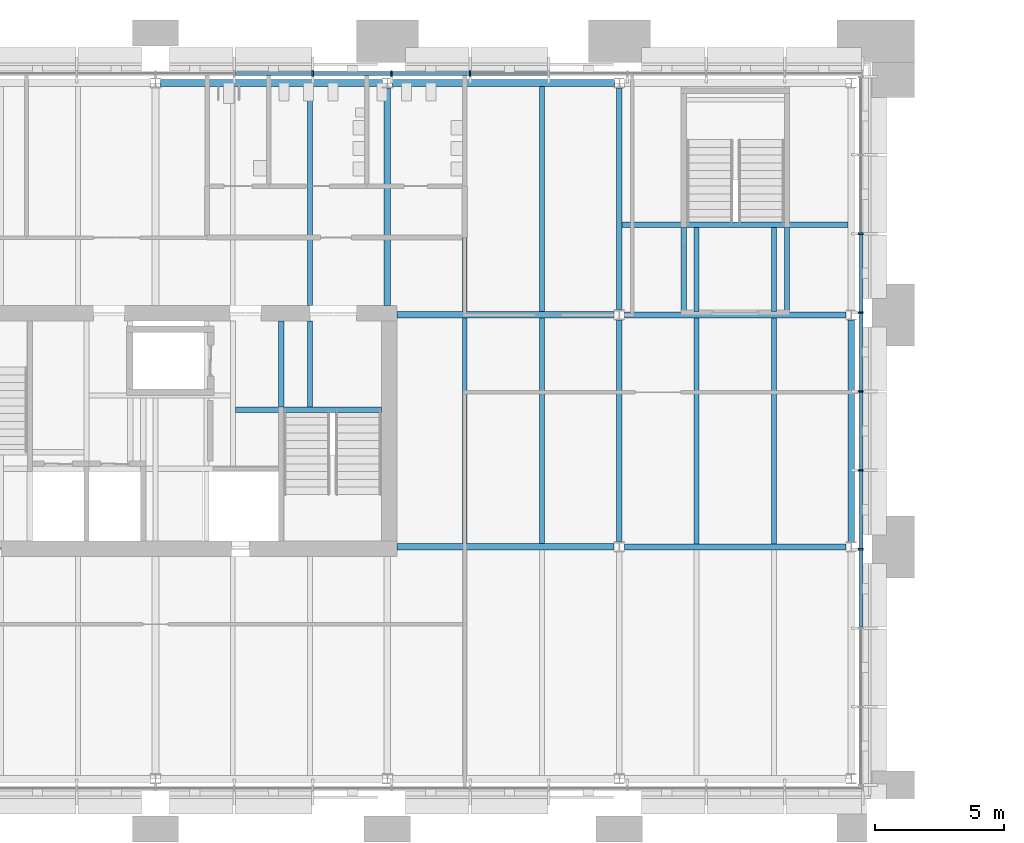
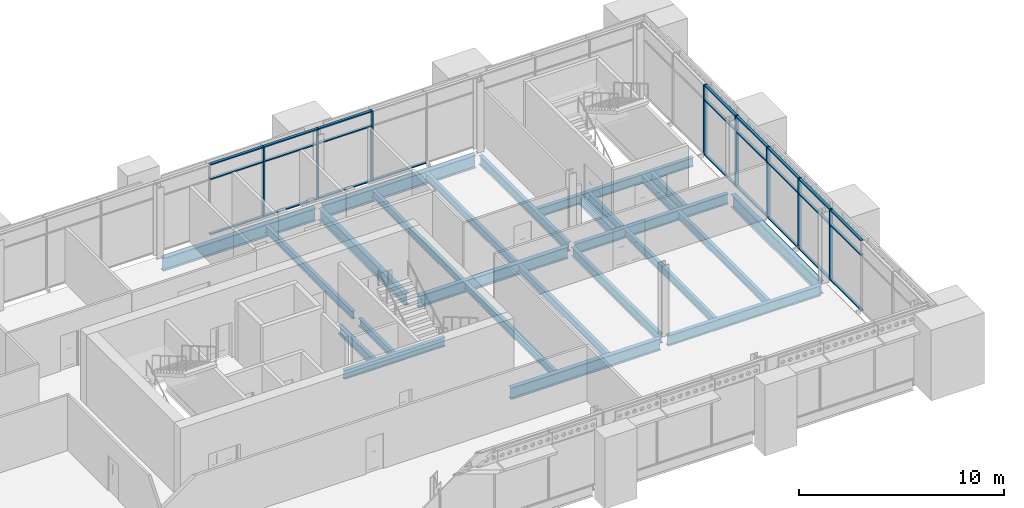
# One storey, part 13 of 54: 33 members, 25 beams, 2 elements without a shape of their own.
"""IFC4 building model written with IfcOpenShell, lengths in metres."""

from ifc_helpers import new_model, si_unit, direction, frame, origin, origin_2d, place, context, subcontext, project, spatial, rectangle, i_section, extrude, material, material_profile, profile_set, type_object, element, aggregate, save


model = new_model("IFC4")

# Units and contexts
model_context = context("Model", 3, precision=1e-05, world=origin(), true_north=direction((0.0, 1.0)))
body_context = subcontext(model_context, "Body", "Model", "MODEL_VIEW")
ifc_project = project(units=[si_unit("LENGTHUNIT", "METRE"), si_unit("AREAUNIT", "SQUARE_METRE"), si_unit("VOLUMEUNIT", "CUBIC_METRE"), si_unit("PLANEANGLEUNIT", "RADIAN"), si_unit("MASSUNIT", "GRAM", prefix="KILO")], contexts=[model_context])

# Site, building, storey
site_placement = place(None, origin())
site = spatial("IfcSite", under=ifc_project, at=site_placement, CompositionType="ELEMENT")
building_placement = place(site_placement, origin())
building = spatial("IfcBuilding", under=site, at=building_placement, Name="Baradari Gate Terminus", CompositionType="ELEMENT")
storey_placement = place(building_placement, frame((0.0, 0.0, 15.89990234375)))
storey = spatial("IfcBuildingStorey", under=building, at=storey_placement, Name="L03", CompositionType="ELEMENT", Elevation=15.89990234375)

# Beams
ifc_material_1 = material(Name="Steel S355", Category="steel")
ifc_material_profile_1 = material_profile(ifc_material_1, i_section(OverallWidth=0.19140625, OverallDepth=0.4599609375, WebThickness=0.010009765625, FlangeThickness=0.01611328125, FilletRadius=0.01025390625, at=origin_2d()), Name="UB 457x191x82")
ifc_profile_set_1 = profile_set([ifc_material_profile_1], Name="Steel S355")
beam_type_1 = type_object("IfcBeamType", Name="Core floor beam B23 UB 457x191x82", PredefinedType="BEAM", material=ifc_profile_set_1)
beam_1_placement = place(storey_placement, frame((42.0, 131.4296875, -0.35986328125), z_axis=(0.0, 1.0, 0.0), x_axis=(-1.0, 0.0, 0.0)))
element("IfcBeam", 1, at=beam_1_placement, inside=storey, type_object=beam_type_1, Name="Core floor beam B23 42:131.43-134.775 L03", PredefinedType="BEAM", context=body_context, shape_type="SweptSolid", body=[
    extrude(i_section(OverallWidth=0.19140625, OverallDepth=0.4599609375, WebThickness=0.010009765625, FlangeThickness=0.01611328125, FilletRadius=0.01025390625, at=origin_2d()), origin(), (0.0, 0.0, 1.0), 3.34521484375),
])
ifc_material_2 = material(Name="Steel S355", Category="steel")
ifc_material_profile_2 = material_profile(ifc_material_2, i_section(OverallWidth=0.209228515625, OverallDepth=0.533203125, WebThickness=0.010009765625, FlangeThickness=0.015625, FilletRadius=0.0126953125, at=origin_2d()), Name="UB 533x210x92")
ifc_profile_set_2 = profile_set([ifc_material_profile_2], Name="Steel S355")
beam_type_2 = type_object("IfcBeamType", Name="Core floor trimmer beam B22 UB 533x210x92", PredefinedType="BEAM", material=ifc_profile_set_2)
beam_2_placement = place(storey_placement, frame((39.095703125, 131.324951171875, -0.396484375), z_axis=(1.0, 0.0, 0.0), x_axis=(0.0, 1.0, 0.0)))
element("IfcBeam", 2, at=beam_2_placement, inside=storey, type_object=beam_type_2, Name="Core floor trimmer beam B22 131.325:39.096-44.775 L03", PredefinedType="BEAM", context=body_context, shape_type="SweptSolid", body=[
    extrude(i_section(OverallWidth=0.209228515625, OverallDepth=0.533203125, WebThickness=0.010009765625, FlangeThickness=0.015625, FilletRadius=0.0126953125, at=origin_2d()), origin(), (0.0, 0.0, 1.0), 5.67919921875),
])
beam_3_placement = place(storey_placement, frame((40.875, 131.4296875, -0.396484375), z_axis=(0.0, 1.0, 0.0), x_axis=(-1.0, 0.0, 0.0)))
element("IfcBeam", 3, at=beam_3_placement, inside=storey, type_object=beam_type_2, Name="Core floor trimmer beam B22 40.875:131.43-134.775 L03", PredefinedType="BEAM", context=body_context, shape_type="SweptSolid", body=[
    extrude(i_section(OverallWidth=0.209228515625, OverallDepth=0.533203125, WebThickness=0.010009765625, FlangeThickness=0.015625, FilletRadius=0.0126953125, at=origin_2d()), origin(), (0.0, 0.0, 1.0), 3.34521484375),
])

# Curtain wall, members
ifc_material_3 = material(Name="Aluminium 6063-T6", Category="aluminium")
curtain_wall_type = type_object("IfcCurtainWallType", Name="Curtain wall CW-1 block unitised, zone L02-L05", PredefinedType="NOTDEFINED", material=ifc_material_3)
curtain_wall_1_placement = place(storey_placement, origin())
curtain_wall_1 = element("IfcCurtainWall", 4, at=curtain_wall_1_placement, inside=storey, type_object=curtain_wall_type, Name="Curtain wall CW-1 Operations block N face L03", PredefinedType="NOTDEFINED")
ifc_material_4 = material(Name="Aluminium 6063-T6", Category="aluminium")
ifc_material_profile_3 = material_profile(ifc_material_4, rectangle(XDim=0.199951171875, YDim=0.06494140625, at=origin_2d()), Name="CM-1 65X200")
ifc_profile_set_3 = profile_set([ifc_material_profile_3], Name="Aluminium 6063-T6")
member_type_1 = type_object("IfcMemberType", Name="Curtain wall mullion CM-1 65x200", PredefinedType="MULLION", material=ifc_profile_set_3)
member_1_placement = place(storey_placement, frame((42.1044921875, 144.3701171875, 0.0), z_axis=(0.0, 0.0, 1.0), x_axis=(0.0, 1.0, 0.0)))
member_1 = element("IfcMember", 5, at=member_1_placement, type_object=member_type_1, Name="CW-1 mullion 12", PredefinedType="MULLION", context=body_context, shape_type="SweptSolid", body=[
    extrude(rectangle(XDim=0.199951171875, YDim=0.06494140625, at=origin_2d()), origin(), (0.0, 0.0, 1.0), 4.2001953125),
])
member_2_placement = place(storey_placement, frame((45.15673828125, 144.3701171875, 0.0), z_axis=(0.0, 0.0, 1.0), x_axis=(0.0, 1.0, 0.0)))
member_2 = element("IfcMember", 6, at=member_2_placement, type_object=member_type_1, Name="CW-1 mullion 13", PredefinedType="MULLION", context=body_context, shape_type="SweptSolid", body=[
    extrude(rectangle(XDim=0.199951171875, YDim=0.06494140625, at=origin_2d()), origin(), (0.0, 0.0, 1.0), 4.2001953125),
])
member_3_placement = place(storey_placement, frame((48.208984375, 144.3701171875, 0.0), z_axis=(0.0, 0.0, 1.0), x_axis=(0.0, 1.0, 0.0)))
member_3 = element("IfcMember", 7, at=member_3_placement, type_object=member_type_1, Name="CW-1 mullion 14", PredefinedType="MULLION", context=body_context, shape_type="SweptSolid", body=[
    extrude(rectangle(XDim=0.199951171875, YDim=0.06494140625, at=origin_2d()), origin(), (0.0, 0.0, 1.0), 4.2001953125),
])

curtain_wall_2_placement = place(storey_placement, origin())
curtain_wall_2 = element("IfcCurtainWall", 8, at=curtain_wall_2_placement, inside=storey, type_object=curtain_wall_type, Name="Curtain wall CW-1 Operations block E face L03", PredefinedType="NOTDEFINED")
member_4_placement = place(storey_placement, frame((63.3701171875, 125.909912109375, 0.0), z_axis=(0.0, 0.0, 1.0), x_axis=(-1.0, 0.0, 0.0)))
member_4 = element("IfcMember", 9, at=member_4_placement, type_object=member_type_1, Name="CW-1 mullion 4", PredefinedType="MULLION", context=body_context, shape_type="SweptSolid", body=[
    extrude(rectangle(XDim=0.199951171875, YDim=0.06494140625, at=origin_2d()), origin(), (0.0, 0.0, 1.0), 4.2001953125),
])
member_5_placement = place(storey_placement, frame((63.3701171875, 128.969970703125, 0.0), z_axis=(0.0, 0.0, 1.0), x_axis=(-1.0, 0.0, 0.0)))
member_5 = element("IfcMember", 10, at=member_5_placement, type_object=member_type_1, Name="CW-1 mullion 5", PredefinedType="MULLION", context=body_context, shape_type="SweptSolid", body=[
    extrude(rectangle(XDim=0.199951171875, YDim=0.06494140625, at=origin_2d()), origin(), (0.0, 0.0, 1.0), 4.2001953125),
])
member_6_placement = place(storey_placement, frame((63.3701171875, 132.030029296875, 0.0), z_axis=(0.0, 0.0, 1.0), x_axis=(-1.0, 0.0, 0.0)))
member_6 = element("IfcMember", 11, at=member_6_placement, type_object=member_type_1, Name="CW-1 mullion 6", PredefinedType="MULLION", context=body_context, shape_type="SweptSolid", body=[
    extrude(rectangle(XDim=0.199951171875, YDim=0.06494140625, at=origin_2d()), origin(), (0.0, 0.0, 1.0), 4.2001953125),
])
member_7_placement = place(storey_placement, frame((63.3701171875, 135.090087890625, 0.0), z_axis=(0.0, 0.0, 1.0), x_axis=(-1.0, 0.0, 0.0)))
member_7 = element("IfcMember", 12, at=member_7_placement, type_object=member_type_1, Name="CW-1 mullion 7", PredefinedType="MULLION", context=body_context, shape_type="SweptSolid", body=[
    extrude(rectangle(XDim=0.199951171875, YDim=0.06494140625, at=origin_2d()), origin(), (0.0, 0.0, 1.0), 4.2001953125),
])
member_8_placement = place(storey_placement, frame((63.3701171875, 138.14990234375, 0.0), z_axis=(0.0, 0.0, 1.0), x_axis=(-1.0, 0.0, 0.0)))
member_8 = element("IfcMember", 13, at=member_8_placement, type_object=member_type_1, Name="CW-1 mullion 8", PredefinedType="MULLION", context=body_context, shape_type="SweptSolid", body=[
    extrude(rectangle(XDim=0.199951171875, YDim=0.06494140625, at=origin_2d()), origin(), (0.0, 0.0, 1.0), 4.2001953125),
])

# Member
ifc_material_5 = material(Name="Aluminium 6063-T6", Category="aluminium")
ifc_material_profile_4 = material_profile(ifc_material_5, rectangle(XDim=0.14990234375, YDim=0.06494140625, at=origin_2d()), Name="CT-1 65X150")
ifc_profile_set_4 = profile_set([ifc_material_profile_4], Name="Aluminium 6063-T6")
member_type_2 = type_object("IfcMemberType", Name="Curtain wall transom CT-1 65x150", PredefinedType="USERDEFINED", material=ifc_profile_set_4)
member_9_placement = place(storey_placement, frame((39.084716796875, 144.3701171875, 0.03271484375), z_axis=(1.0, 0.0, 0.0), x_axis=(0.0, 1.0, 0.0)))
member_9 = element("IfcMember", 14, at=member_9_placement, type_object=member_type_2, Name="CW-1 transom 11.1", ObjectType="TRANSOM", PredefinedType="USERDEFINED", context=body_context, shape_type="SweptSolid", body=[
    extrude(rectangle(XDim=0.14990234375, YDim=0.06494140625, at=origin_2d()), origin(), (0.0, 0.0, 1.0), 2.9873046875),
])

member_10_placement = place(storey_placement, frame((39.084716796875, 144.3701171875, 3.300048828125), z_axis=(1.0, 0.0, 0.0), x_axis=(0.0, 1.0, 0.0)))
member_10 = element("IfcMember", 15, at=member_10_placement, type_object=member_type_2, Name="CW-1 transom 11.2", ObjectType="TRANSOM", PredefinedType="USERDEFINED", context=body_context, shape_type="SweptSolid", body=[
    extrude(rectangle(XDim=0.14990234375, YDim=0.06494140625, at=origin_2d()), origin(), (0.0, 0.0, 1.0), 2.9873046875),
])

member_11_placement = place(storey_placement, frame((39.084716796875, 144.3701171875, 4.16748046875), z_axis=(1.0, 0.0, 0.0), x_axis=(0.0, 1.0, 0.0)))
member_11 = element("IfcMember", 16, at=member_11_placement, type_object=member_type_2, Name="CW-1 transom 11.3", ObjectType="TRANSOM", PredefinedType="USERDEFINED", context=body_context, shape_type="SweptSolid", body=[
    extrude(rectangle(XDim=0.14990234375, YDim=0.06494140625, at=origin_2d()), origin(), (0.0, 0.0, 1.0), 2.9873046875),
])

member_12_placement = place(storey_placement, frame((42.136962890625, 144.3701171875, 0.03271484375), z_axis=(1.0, 0.0, 0.0), x_axis=(0.0, 1.0, 0.0)))
member_12 = element("IfcMember", 17, at=member_12_placement, type_object=member_type_2, Name="CW-1 transom 12.1", ObjectType="TRANSOM", PredefinedType="USERDEFINED", context=body_context, shape_type="SweptSolid", body=[
    extrude(rectangle(XDim=0.14990234375, YDim=0.06494140625, at=origin_2d()), origin(), (0.0, 0.0, 1.0), 2.9873046875),
])

member_13_placement = place(storey_placement, frame((42.136962890625, 144.3701171875, 3.300048828125), z_axis=(1.0, 0.0, 0.0), x_axis=(0.0, 1.0, 0.0)))
member_13 = element("IfcMember", 18, at=member_13_placement, type_object=member_type_2, Name="CW-1 transom 12.2", ObjectType="TRANSOM", PredefinedType="USERDEFINED", context=body_context, shape_type="SweptSolid", body=[
    extrude(rectangle(XDim=0.14990234375, YDim=0.06494140625, at=origin_2d()), origin(), (0.0, 0.0, 1.0), 2.9873046875),
])

member_14_placement = place(storey_placement, frame((42.136962890625, 144.3701171875, 4.16748046875), z_axis=(1.0, 0.0, 0.0), x_axis=(0.0, 1.0, 0.0)))
member_14 = element("IfcMember", 19, at=member_14_placement, type_object=member_type_2, Name="CW-1 transom 12.3", ObjectType="TRANSOM", PredefinedType="USERDEFINED", context=body_context, shape_type="SweptSolid", body=[
    extrude(rectangle(XDim=0.14990234375, YDim=0.06494140625, at=origin_2d()), origin(), (0.0, 0.0, 1.0), 2.9873046875),
])

member_15_placement = place(storey_placement, frame((45.189208984375, 144.3701171875, 0.03271484375), z_axis=(1.0, 0.0, 0.0), x_axis=(0.0, 1.0, 0.0)))
member_15 = element("IfcMember", 20, at=member_15_placement, type_object=member_type_2, Name="CW-1 transom 13.1", ObjectType="TRANSOM", PredefinedType="USERDEFINED", context=body_context, shape_type="SweptSolid", body=[
    extrude(rectangle(XDim=0.14990234375, YDim=0.06494140625, at=origin_2d()), origin(), (0.0, 0.0, 1.0), 2.987060546875),
])

member_16_placement = place(storey_placement, frame((45.189208984375, 144.3701171875, 3.300048828125), z_axis=(1.0, 0.0, 0.0), x_axis=(0.0, 1.0, 0.0)))
member_16 = element("IfcMember", 21, at=member_16_placement, type_object=member_type_2, Name="CW-1 transom 13.2", ObjectType="TRANSOM", PredefinedType="USERDEFINED", context=body_context, shape_type="SweptSolid", body=[
    extrude(rectangle(XDim=0.14990234375, YDim=0.06494140625, at=origin_2d()), origin(), (0.0, 0.0, 1.0), 2.987060546875),
])

member_17_placement = place(storey_placement, frame((45.189208984375, 144.3701171875, 4.16748046875), z_axis=(1.0, 0.0, 0.0), x_axis=(0.0, 1.0, 0.0)))
member_17 = element("IfcMember", 22, at=member_17_placement, type_object=member_type_2, Name="CW-1 transom 13.3", ObjectType="TRANSOM", PredefinedType="USERDEFINED", context=body_context, shape_type="SweptSolid", body=[
    extrude(rectangle(XDim=0.14990234375, YDim=0.06494140625, at=origin_2d()), origin(), (0.0, 0.0, 1.0), 2.987060546875),
])

member_18_placement = place(storey_placement, frame((48.241455078125, 144.3701171875, 0.03271484375), z_axis=(1.0, 0.0, 0.0), x_axis=(0.0, 1.0, 0.0)))
member_18 = element("IfcMember", 23, at=member_18_placement, type_object=member_type_2, Name="CW-1 transom 14.1", ObjectType="TRANSOM", PredefinedType="USERDEFINED", context=body_context, shape_type="SweptSolid", body=[
    extrude(rectangle(XDim=0.14990234375, YDim=0.06494140625, at=origin_2d()), origin(), (0.0, 0.0, 1.0), 2.987060546875),
])

aggregate(curtain_wall_1, [member_1, member_2, member_3, member_9, member_10, member_11, member_12, member_13, member_14, member_15, member_16, member_17, member_18])

member_19_placement = place(storey_placement, frame((63.3701171875, 122.882568359375, 0.03271484375), z_axis=(0.0, 1.0, 0.0), x_axis=(-1.0, 0.0, 0.0)))
member_19 = element("IfcMember", 24, at=member_19_placement, type_object=member_type_2, Name="CW-1 transom 3.1", ObjectType="TRANSOM", PredefinedType="USERDEFINED", context=body_context, shape_type="SweptSolid", body=[
    extrude(rectangle(XDim=0.14990234375, YDim=0.06494140625, at=origin_2d()), origin(), (0.0, 0.0, 1.0), 2.994873046875),
])

member_20_placement = place(storey_placement, frame((63.3701171875, 122.882568359375, 3.300048828125), z_axis=(0.0, 1.0, 0.0), x_axis=(-1.0, 0.0, 0.0)))
member_20 = element("IfcMember", 25, at=member_20_placement, type_object=member_type_2, Name="CW-1 transom 3.2", ObjectType="TRANSOM", PredefinedType="USERDEFINED", context=body_context, shape_type="SweptSolid", body=[
    extrude(rectangle(XDim=0.14990234375, YDim=0.06494140625, at=origin_2d()), origin(), (0.0, 0.0, 1.0), 2.994873046875),
])

member_21_placement = place(storey_placement, frame((63.3701171875, 122.882568359375, 4.16748046875), z_axis=(0.0, 1.0, 0.0), x_axis=(-1.0, 0.0, 0.0)))
member_21 = element("IfcMember", 26, at=member_21_placement, type_object=member_type_2, Name="CW-1 transom 3.3", ObjectType="TRANSOM", PredefinedType="USERDEFINED", context=body_context, shape_type="SweptSolid", body=[
    extrude(rectangle(XDim=0.14990234375, YDim=0.06494140625, at=origin_2d()), origin(), (0.0, 0.0, 1.0), 2.994873046875),
])

member_22_placement = place(storey_placement, frame((63.3701171875, 125.9423828125, 0.03271484375), z_axis=(0.0, 1.0, 0.0), x_axis=(-1.0, 0.0, 0.0)))
member_22 = element("IfcMember", 27, at=member_22_placement, type_object=member_type_2, Name="CW-1 transom 4.1", ObjectType="TRANSOM", PredefinedType="USERDEFINED", context=body_context, shape_type="SweptSolid", body=[
    extrude(rectangle(XDim=0.14990234375, YDim=0.06494140625, at=origin_2d()), origin(), (0.0, 0.0, 1.0), 2.9951171875),
])

member_23_placement = place(storey_placement, frame((63.3701171875, 125.9423828125, 3.300048828125), z_axis=(0.0, 1.0, 0.0), x_axis=(-1.0, 0.0, 0.0)))
member_23 = element("IfcMember", 28, at=member_23_placement, type_object=member_type_2, Name="CW-1 transom 4.2", ObjectType="TRANSOM", PredefinedType="USERDEFINED", context=body_context, shape_type="SweptSolid", body=[
    extrude(rectangle(XDim=0.14990234375, YDim=0.06494140625, at=origin_2d()), origin(), (0.0, 0.0, 1.0), 2.9951171875),
])

member_24_placement = place(storey_placement, frame((63.3701171875, 125.9423828125, 4.16748046875), z_axis=(0.0, 1.0, 0.0), x_axis=(-1.0, 0.0, 0.0)))
member_24 = element("IfcMember", 29, at=member_24_placement, type_object=member_type_2, Name="CW-1 transom 4.3", ObjectType="TRANSOM", PredefinedType="USERDEFINED", context=body_context, shape_type="SweptSolid", body=[
    extrude(rectangle(XDim=0.14990234375, YDim=0.06494140625, at=origin_2d()), origin(), (0.0, 0.0, 1.0), 2.9951171875),
])

member_25_placement = place(storey_placement, frame((63.3701171875, 129.00244140625, 0.03271484375), z_axis=(0.0, 1.0, 0.0), x_axis=(-1.0, 0.0, 0.0)))
member_25 = element("IfcMember", 30, at=member_25_placement, type_object=member_type_2, Name="CW-1 transom 5.1", ObjectType="TRANSOM", PredefinedType="USERDEFINED", context=body_context, shape_type="SweptSolid", body=[
    extrude(rectangle(XDim=0.14990234375, YDim=0.06494140625, at=origin_2d()), origin(), (0.0, 0.0, 1.0), 2.9951171875),
])

member_26_placement = place(storey_placement, frame((63.3701171875, 129.00244140625, 3.300048828125), z_axis=(0.0, 1.0, 0.0), x_axis=(-1.0, 0.0, 0.0)))
member_26 = element("IfcMember", 31, at=member_26_placement, type_object=member_type_2, Name="CW-1 transom 5.2", ObjectType="TRANSOM", PredefinedType="USERDEFINED", context=body_context, shape_type="SweptSolid", body=[
    extrude(rectangle(XDim=0.14990234375, YDim=0.06494140625, at=origin_2d()), origin(), (0.0, 0.0, 1.0), 2.9951171875),
])

member_27_placement = place(storey_placement, frame((63.3701171875, 129.00244140625, 4.16748046875), z_axis=(0.0, 1.0, 0.0), x_axis=(-1.0, 0.0, 0.0)))
member_27 = element("IfcMember", 32, at=member_27_placement, type_object=member_type_2, Name="CW-1 transom 5.3", ObjectType="TRANSOM", PredefinedType="USERDEFINED", context=body_context, shape_type="SweptSolid", body=[
    extrude(rectangle(XDim=0.14990234375, YDim=0.06494140625, at=origin_2d()), origin(), (0.0, 0.0, 1.0), 2.9951171875),
])

member_28_placement = place(storey_placement, frame((63.3701171875, 132.0625, 0.03271484375), z_axis=(0.0, 1.0, 0.0), x_axis=(-1.0, 0.0, 0.0)))
member_28 = element("IfcMember", 33, at=member_28_placement, type_object=member_type_2, Name="CW-1 transom 6.1", ObjectType="TRANSOM", PredefinedType="USERDEFINED", context=body_context, shape_type="SweptSolid", body=[
    extrude(rectangle(XDim=0.14990234375, YDim=0.06494140625, at=origin_2d()), origin(), (0.0, 0.0, 1.0), 2.9951171875),
])

member_29_placement = place(storey_placement, frame((63.3701171875, 132.0625, 3.300048828125), z_axis=(0.0, 1.0, 0.0), x_axis=(-1.0, 0.0, 0.0)))
member_29 = element("IfcMember", 34, at=member_29_placement, type_object=member_type_2, Name="CW-1 transom 6.2", ObjectType="TRANSOM", PredefinedType="USERDEFINED", context=body_context, shape_type="SweptSolid", body=[
    extrude(rectangle(XDim=0.14990234375, YDim=0.06494140625, at=origin_2d()), origin(), (0.0, 0.0, 1.0), 2.9951171875),
])

member_30_placement = place(storey_placement, frame((63.3701171875, 132.0625, 4.16748046875), z_axis=(0.0, 1.0, 0.0), x_axis=(-1.0, 0.0, 0.0)))
member_30 = element("IfcMember", 35, at=member_30_placement, type_object=member_type_2, Name="CW-1 transom 6.3", ObjectType="TRANSOM", PredefinedType="USERDEFINED", context=body_context, shape_type="SweptSolid", body=[
    extrude(rectangle(XDim=0.14990234375, YDim=0.06494140625, at=origin_2d()), origin(), (0.0, 0.0, 1.0), 2.9951171875),
])

member_31_placement = place(storey_placement, frame((63.3701171875, 135.12255859375, 0.03271484375), z_axis=(0.0, 1.0, 0.0), x_axis=(-1.0, 0.0, 0.0)))
member_31 = element("IfcMember", 36, at=member_31_placement, type_object=member_type_2, Name="CW-1 transom 7.1", ObjectType="TRANSOM", PredefinedType="USERDEFINED", context=body_context, shape_type="SweptSolid", body=[
    extrude(rectangle(XDim=0.14990234375, YDim=0.06494140625, at=origin_2d()), origin(), (0.0, 0.0, 1.0), 2.994873046875),
])

member_32_placement = place(storey_placement, frame((63.3701171875, 135.12255859375, 3.300048828125), z_axis=(0.0, 1.0, 0.0), x_axis=(-1.0, 0.0, 0.0)))
member_32 = element("IfcMember", 37, at=member_32_placement, type_object=member_type_2, Name="CW-1 transom 7.2", ObjectType="TRANSOM", PredefinedType="USERDEFINED", context=body_context, shape_type="SweptSolid", body=[
    extrude(rectangle(XDim=0.14990234375, YDim=0.06494140625, at=origin_2d()), origin(), (0.0, 0.0, 1.0), 2.994873046875),
])

member_33_placement = place(storey_placement, frame((63.3701171875, 135.12255859375, 4.16748046875), z_axis=(0.0, 1.0, 0.0), x_axis=(-1.0, 0.0, 0.0)))
member_33 = element("IfcMember", 38, at=member_33_placement, type_object=member_type_2, Name="CW-1 transom 7.3", ObjectType="TRANSOM", PredefinedType="USERDEFINED", context=body_context, shape_type="SweptSolid", body=[
    extrude(rectangle(XDim=0.14990234375, YDim=0.06494140625, at=origin_2d()), origin(), (0.0, 0.0, 1.0), 2.994873046875),
])

aggregate(curtain_wall_2, [member_4, member_5, member_6, member_7, member_8, member_19, member_20, member_21, member_22, member_23, member_24, member_25, member_26, member_27, member_28, member_29, member_30, member_31, member_32, member_33])

# Beams
ifc_material_6 = material(Name="Steel S355", Category="steel")
ifc_material_profile_5 = material_profile(ifc_material_6, i_section(OverallWidth=0.25439453125, OverallDepth=0.6875, WebThickness=0.01318359375, FlangeThickness=0.02099609375, FilletRadius=0.01513671875, at=origin_2d()), Name="UB 686x254x152")
ifc_profile_set_5 = profile_set([ifc_material_profile_5], Name="Steel S355")
beam_type_3 = type_object("IfcBeamType", Name="Operations block coupling beam B26 UB 686x254x152", PredefinedType="BEAM", material=ifc_profile_set_5)
for number, where, z_axis, x_axis, name in (
    (39, (45.375, 126.0, -0.4736328125), (1.0, 0.0, 0.0), (0.0, 1.0, 0.0), "Operations block coupling beam B26 Q:45.375-53.798 L03"),
    (40, (45.375, 135.0, -0.4736328125), (1.0, 0.0, 0.0), (0.0, 1.0, 0.0), "Operations block coupling beam B26 R:45.375-53.798 L03"),
):
    element("IfcBeam", number, at=place(storey_placement, frame(where, z_axis=z_axis, x_axis=x_axis)), inside=storey, type_object=beam_type_3, Name=name, PredefinedType="BEAM", context=body_context, shape_type="SweptSolid", body=[
        extrude(i_section(OverallWidth=0.25439453125, OverallDepth=0.6875, WebThickness=0.01318359375, FlangeThickness=0.02099609375, FilletRadius=0.01513671875, at=origin_2d()), origin(), (0.0, 0.0, 1.0), 8.423583984375),
    ])
beam_4_placement = place(storey_placement, frame((45.0, 135.375, -0.4736328125), z_axis=(0.0, 1.0, 0.0), x_axis=(-1.0, 0.0, 0.0)))
element("IfcBeam", 41, at=beam_4_placement, inside=storey, type_object=beam_type_3, Name="Operations block coupling beam B26 6:135.375-143.81 L03", PredefinedType="BEAM", context=body_context, shape_type="SweptSolid", body=[
    extrude(i_section(OverallWidth=0.25439453125, OverallDepth=0.6875, WebThickness=0.01318359375, FlangeThickness=0.02099609375, FilletRadius=0.01513671875, at=origin_2d()), origin(), (0.0, 0.0, 1.0), 8.4345703125),
])
ifc_material_7 = material(Name="Steel S355", Category="steel")
ifc_material_profile_6 = material_profile(ifc_material_7, i_section(OverallWidth=0.22900390625, OverallDepth=0.6123046875, WebThickness=0.011962890625, FlangeThickness=0.01953125, FilletRadius=0.0126953125, at=origin_2d()), Name="UB 610x229x125")
ifc_profile_set_6 = profile_set([ifc_material_profile_6], Name="Steel S355")
beam_type_4 = type_object("IfcBeamType", Name="Operations block girder B25 UB 610x229x125", PredefinedType="BEAM", material=ifc_profile_set_6)
for number, where, z_axis, x_axis, name in (
    (42, (54.201416015625, 126.0, -0.43603515625), (1.0, 0.0, 0.0), (0.0, 1.0, 0.0), "Operations block girder B25 Q:54.202-62.803 L03"),
    (43, (54.201416015625, 135.0, -0.43603515625), (1.0, 0.0, 0.0), (0.0, 1.0, 0.0), "Operations block girder B25 R:54.202-62.803 L03"),
):
    element("IfcBeam", number, at=place(storey_placement, frame(where, z_axis=z_axis, x_axis=x_axis)), inside=storey, type_object=beam_type_4, Name=name, PredefinedType="BEAM", context=body_context, shape_type="SweptSolid", body=[
        extrude(i_section(OverallWidth=0.22900390625, OverallDepth=0.6123046875, WebThickness=0.011962890625, FlangeThickness=0.01953125, FilletRadius=0.0126953125, at=origin_2d()), origin(), (0.0, 0.0, 1.0), 8.60107421875),
    ])
ifc_material_8 = material(Name="Steel S355", Category="steel")
ifc_material_profile_7 = material_profile(ifc_material_8, i_section(OverallWidth=0.210693359375, OverallDepth=0.53955078125, WebThickness=0.01171875, FlangeThickness=0.018798828125, FilletRadius=0.0126953125, at=origin_2d()), Name="UB 533x210x109")
ifc_profile_set_7 = profile_set([ifc_material_profile_7], Name="Steel S355")
beam_type_5 = type_object("IfcBeamType", Name="Operations block girder B29 UB 533x210x109", PredefinedType="BEAM", material=ifc_profile_set_7)
beam_5_placement = place(storey_placement, frame((54.0, 126.203125, -0.399658203125), z_axis=(0.0, 1.0, 0.0), x_axis=(-1.0, 0.0, 0.0)))
element("IfcBeam", 44, at=beam_5_placement, inside=storey, type_object=beam_type_5, Name="Operations block girder B29 7:126.203-134.797 L03", PredefinedType="BEAM", context=body_context, shape_type="SweptSolid", body=[
    extrude(i_section(OverallWidth=0.210693359375, OverallDepth=0.53955078125, WebThickness=0.01171875, FlangeThickness=0.018798828125, FilletRadius=0.0126953125, at=origin_2d()), origin(), (0.0, 0.0, 1.0), 8.59375),
])
beam_6_placement = place(storey_placement, frame((54.0, 135.203125, -0.399658203125), z_axis=(0.0, 1.0, 0.0), x_axis=(-1.0, 0.0, 0.0)))
element("IfcBeam", 45, at=beam_6_placement, inside=storey, type_object=beam_type_5, Name="Operations block girder B29 7:135.203-143.81 L03", PredefinedType="BEAM", context=body_context, shape_type="SweptSolid", body=[
    extrude(i_section(OverallWidth=0.210693359375, OverallDepth=0.53955078125, WebThickness=0.01171875, FlangeThickness=0.018798828125, FilletRadius=0.0126953125, at=origin_2d()), origin(), (0.0, 0.0, 1.0), 8.6064453125),
])
ifc_material_9 = material(Name="Steel S355", Category="steel")
ifc_material_profile_8 = material_profile(ifc_material_9, i_section(OverallWidth=0.2666015625, OverallDepth=0.76220703125, WebThickness=0.014404296875, FlangeThickness=0.021484375, FilletRadius=0.0166015625, at=origin_2d()), Name="UB 762x267x173")
ifc_profile_set_8 = profile_set([ifc_material_profile_8], Name="Steel S355")
beam_type_6 = type_object("IfcBeamType", Name="Operations block moment frame beam B24 UB 762x267x173", PredefinedType="BEAM", material=ifc_profile_set_8)
for number, where, z_axis, x_axis, name in (
    (46, (36.197509765625, 144.0, -0.510986328125), (1.0, 0.0, 0.0), (0.0, 1.0, 0.0), "Operations block moment frame beam B24 S:36.197-44.803 L03"),
    (47, (45.197509765625, 144.0, -0.510986328125), (1.0, 0.0, 0.0), (0.0, 1.0, 0.0), "Operations block moment frame beam B24 S:45.197-53.803 L03"),
):
    element("IfcBeam", number, at=place(storey_placement, frame(where, z_axis=z_axis, x_axis=x_axis)), inside=storey, type_object=beam_type_6, Name=name, PredefinedType="BEAM", context=body_context, shape_type="SweptSolid", body=[
        extrude(i_section(OverallWidth=0.2666015625, OverallDepth=0.76220703125, WebThickness=0.014404296875, FlangeThickness=0.021484375, FilletRadius=0.0166015625, at=origin_2d()), origin(), (0.0, 0.0, 1.0), 8.60498046875),
    ])
beam_7_placement = place(storey_placement, frame((63.0, 126.1904296875, -0.510986328125), z_axis=(0.0, 1.0, 0.0), x_axis=(-1.0, 0.0, 0.0)))
element("IfcBeam", 48, at=beam_7_placement, inside=storey, type_object=beam_type_6, Name="Operations block moment frame beam B24 8:126.191-134.81 L03", PredefinedType="BEAM", context=body_context, shape_type="SweptSolid", body=[
    extrude(i_section(OverallWidth=0.2666015625, OverallDepth=0.76220703125, WebThickness=0.014404296875, FlangeThickness=0.021484375, FilletRadius=0.0166015625, at=origin_2d()), origin(), (0.0, 0.0, 1.0), 8.619140625),
])
ifc_material_10 = material(Name="Steel S355", Category="steel")
ifc_material_profile_9 = material_profile(ifc_material_10, i_section(OverallWidth=0.18994140625, OverallDepth=0.453369140625, WebThickness=0.008544921875, FlangeThickness=0.0126953125, FilletRadius=0.01025390625, at=origin_2d()), Name="UB 457x191x67")
ifc_profile_set_9 = profile_set([ifc_material_profile_9], Name="Steel S355")
beam_type_7 = type_object("IfcBeamType", Name="Operations block secondary beam B28 UB 457x191x67", PredefinedType="BEAM", material=ifc_profile_set_9)
beam_8_placement = place(storey_placement, frame((42.0, 135.375, -0.356689453125), z_axis=(0.0, 1.0, 0.0), x_axis=(-1.0, 0.0, 0.0)))
element("IfcBeam", 49, at=beam_8_placement, inside=storey, type_object=beam_type_7, Name="Operations block secondary beam B28 42:135.375-143.867 L03", PredefinedType="BEAM", context=body_context, shape_type="SweptSolid", body=[
    extrude(i_section(OverallWidth=0.18994140625, OverallDepth=0.453369140625, WebThickness=0.008544921875, FlangeThickness=0.0126953125, FilletRadius=0.01025390625, at=origin_2d()), origin(), (0.0, 0.0, 1.0), 8.49169921875),
])
beam_9_placement = place(storey_placement, frame((48.0, 126.127197265625, -0.356689453125), z_axis=(0.0, 1.0, 0.0), x_axis=(-1.0, 0.0, 0.0)))
element("IfcBeam", 50, at=beam_9_placement, inside=storey, type_object=beam_type_7, Name="Operations block secondary beam B28 48:126.127-134.873 L03", PredefinedType="BEAM", context=body_context, shape_type="SweptSolid", body=[
    extrude(i_section(OverallWidth=0.18994140625, OverallDepth=0.453369140625, WebThickness=0.008544921875, FlangeThickness=0.0126953125, FilletRadius=0.01025390625, at=origin_2d()), origin(), (0.0, 0.0, 1.0), 8.74560546875),
])
beam_10_placement = place(storey_placement, frame((48.0, 135.127197265625, -0.356689453125), z_axis=(0.0, 1.0, 0.0), x_axis=(-1.0, 0.0, 0.0)))
element("IfcBeam", 51, at=beam_10_placement, inside=storey, type_object=beam_type_7, Name="Operations block secondary beam B28 48:135.127-143.867 L03", PredefinedType="BEAM", context=body_context, shape_type="SweptSolid", body=[
    extrude(i_section(OverallWidth=0.18994140625, OverallDepth=0.453369140625, WebThickness=0.008544921875, FlangeThickness=0.0126953125, FilletRadius=0.01025390625, at=origin_2d()), origin(), (0.0, 0.0, 1.0), 8.739501953125),
])
beam_11_placement = place(storey_placement, frame((51.0, 126.127197265625, -0.356689453125), z_axis=(0.0, 1.0, 0.0), x_axis=(-1.0, 0.0, 0.0)))
element("IfcBeam", 52, at=beam_11_placement, inside=storey, type_object=beam_type_7, Name="Operations block secondary beam B28 51:126.127-134.873 L03", PredefinedType="BEAM", context=body_context, shape_type="SweptSolid", body=[
    extrude(i_section(OverallWidth=0.18994140625, OverallDepth=0.453369140625, WebThickness=0.008544921875, FlangeThickness=0.0126953125, FilletRadius=0.01025390625, at=origin_2d()), origin(), (0.0, 0.0, 1.0), 8.74560546875),
])
beam_12_placement = place(storey_placement, frame((51.0, 135.127197265625, -0.356689453125), z_axis=(0.0, 1.0, 0.0), x_axis=(-1.0, 0.0, 0.0)))
element("IfcBeam", 53, at=beam_12_placement, inside=storey, type_object=beam_type_7, Name="Operations block secondary beam B28 51:135.127-143.867 L03", PredefinedType="BEAM", context=body_context, shape_type="SweptSolid", body=[
    extrude(i_section(OverallWidth=0.18994140625, OverallDepth=0.453369140625, WebThickness=0.008544921875, FlangeThickness=0.0126953125, FilletRadius=0.01025390625, at=origin_2d()), origin(), (0.0, 0.0, 1.0), 8.739501953125),
])
beam_13_placement = place(storey_placement, frame((57.0, 126.114501953125, -0.356689453125), z_axis=(0.0, 1.0, 0.0), x_axis=(-1.0, 0.0, 0.0)))
element("IfcBeam", 54, at=beam_13_placement, inside=storey, type_object=beam_type_7, Name="Operations block secondary beam B28 57:126.115-134.886 L03", PredefinedType="BEAM", context=body_context, shape_type="SweptSolid", body=[
    extrude(i_section(OverallWidth=0.18994140625, OverallDepth=0.453369140625, WebThickness=0.008544921875, FlangeThickness=0.0126953125, FilletRadius=0.01025390625, at=origin_2d()), origin(), (0.0, 0.0, 1.0), 8.77099609375),
])
beam_14_placement = place(storey_placement, frame((57.0, 135.114501953125, -0.356689453125), z_axis=(0.0, 1.0, 0.0), x_axis=(-1.0, 0.0, 0.0)))
element("IfcBeam", 55, at=beam_14_placement, inside=storey, type_object=beam_type_7, Name="Operations block secondary beam B28 57:135.114-138.395 L03", PredefinedType="BEAM", context=body_context, shape_type="SweptSolid", body=[
    extrude(i_section(OverallWidth=0.18994140625, OverallDepth=0.453369140625, WebThickness=0.008544921875, FlangeThickness=0.0126953125, FilletRadius=0.01025390625, at=origin_2d()), origin(), (0.0, 0.0, 1.0), 3.281005859375),
])
beam_15_placement = place(storey_placement, frame((60.0, 126.114501953125, -0.356689453125), z_axis=(0.0, 1.0, 0.0), x_axis=(-1.0, 0.0, 0.0)))
element("IfcBeam", 56, at=beam_15_placement, inside=storey, type_object=beam_type_7, Name="Operations block secondary beam B28 60:126.115-134.886 L03", PredefinedType="BEAM", context=body_context, shape_type="SweptSolid", body=[
    extrude(i_section(OverallWidth=0.18994140625, OverallDepth=0.453369140625, WebThickness=0.008544921875, FlangeThickness=0.0126953125, FilletRadius=0.01025390625, at=origin_2d()), origin(), (0.0, 0.0, 1.0), 8.77099609375),
])
beam_16_placement = place(storey_placement, frame((60.0, 135.114501953125, -0.356689453125), z_axis=(0.0, 1.0, 0.0), x_axis=(-1.0, 0.0, 0.0)))
element("IfcBeam", 57, at=beam_16_placement, inside=storey, type_object=beam_type_7, Name="Operations block secondary beam B28 60:135.114-138.395 L03", PredefinedType="BEAM", context=body_context, shape_type="SweptSolid", body=[
    extrude(i_section(OverallWidth=0.18994140625, OverallDepth=0.453369140625, WebThickness=0.008544921875, FlangeThickness=0.0126953125, FilletRadius=0.01025390625, at=origin_2d()), origin(), (0.0, 0.0, 1.0), 3.281005859375),
])
ifc_material_11 = material(Name="Steel S355", Category="steel")
ifc_material_profile_10 = material_profile(ifc_material_11, i_section(OverallWidth=0.209228515625, OverallDepth=0.533203125, WebThickness=0.010009765625, FlangeThickness=0.015625, FilletRadius=0.0126953125, at=origin_2d()), Name="UB 533x210x92")
ifc_profile_set_10 = profile_set([ifc_material_profile_10], Name="Steel S355")
beam_type_8 = type_object("IfcBeamType", Name="Operations block trimmer beam B27 UB 533x210x92", PredefinedType="BEAM", material=ifc_profile_set_10)
beam_17_placement = place(storey_placement, frame((54.10546875, 138.5, -0.396484375), z_axis=(1.0, 0.0, 0.0), x_axis=(0.0, 1.0, 0.0)))
element("IfcBeam", 58, at=beam_17_placement, inside=storey, type_object=beam_type_8, Name="Operations block trimmer beam B27 138.5:54.105-62.867 L03", PredefinedType="BEAM", context=body_context, shape_type="SweptSolid", body=[
    extrude(i_section(OverallWidth=0.209228515625, OverallDepth=0.533203125, WebThickness=0.010009765625, FlangeThickness=0.015625, FilletRadius=0.0126953125, at=origin_2d()), origin(), (0.0, 0.0, 1.0), 8.76123046875),
])
for number, where, z_axis, x_axis, name in (
    (59, (56.4951171875, 135.114501953125, -0.396484375), (0.0, 1.0, 0.0), (-1.0, 0.0, 0.0), "Operations block trimmer beam B27 56.495:135.114-138.395 L03"),
    (60, (60.5048828125, 135.114501953125, -0.396484375), (0.0, 1.0, 0.0), (-1.0, 0.0, 0.0), "Operations block trimmer beam B27 60.505:135.114-138.395 L03"),
):
    element("IfcBeam", number, at=place(storey_placement, frame(where, z_axis=z_axis, x_axis=x_axis)), inside=storey, type_object=beam_type_8, Name=name, PredefinedType="BEAM", context=body_context, shape_type="SweptSolid", body=[
        extrude(i_section(OverallWidth=0.209228515625, OverallDepth=0.533203125, WebThickness=0.010009765625, FlangeThickness=0.015625, FilletRadius=0.0126953125, at=origin_2d()), origin(), (0.0, 0.0, 1.0), 3.281005859375),
    ])

save(model, "model.ifc")
